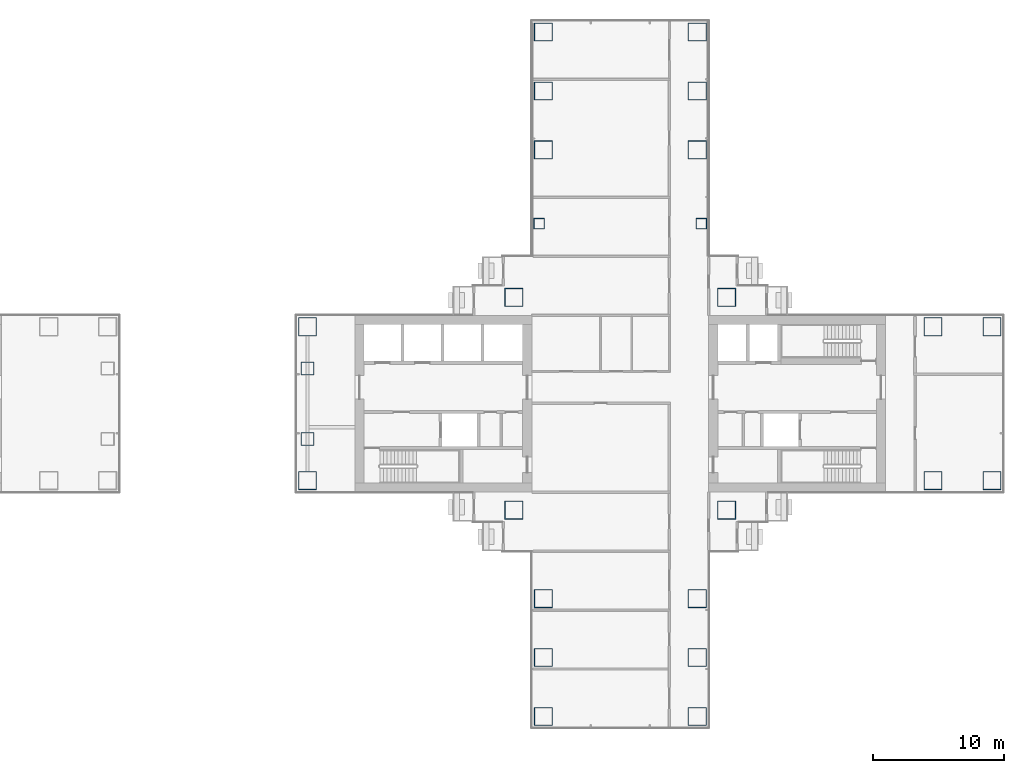
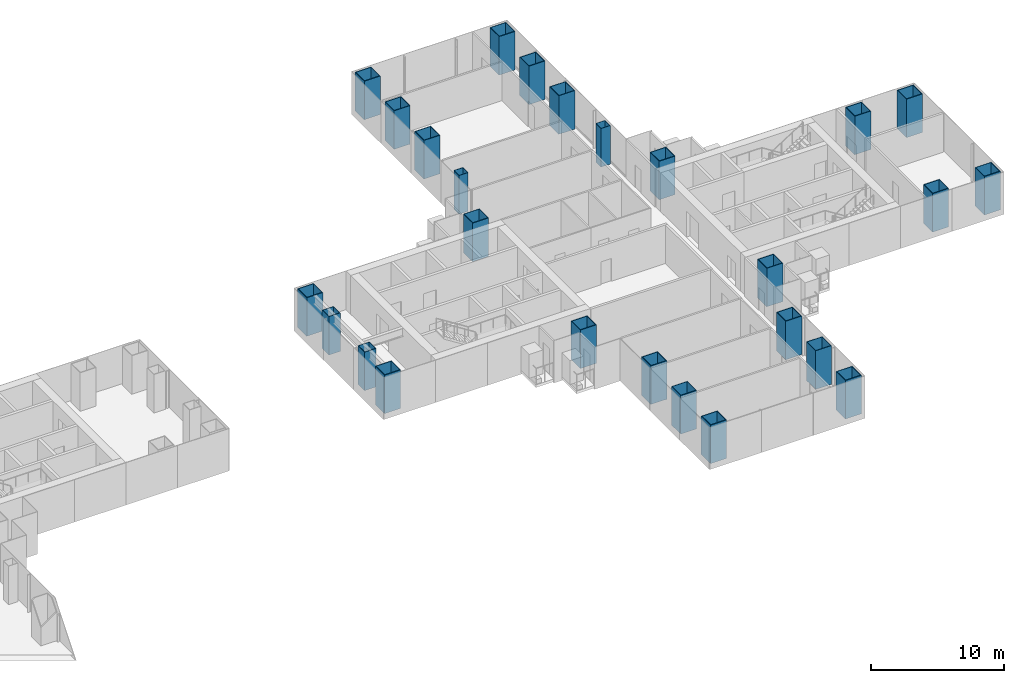
# One storey, part 2 of 21: 26 columns.
"""IFC4 building model written with IfcOpenShell, lengths in metres."""

from ifc_helpers import new_model, si_unit, direction, frame, origin, origin_2d, place, context, subcontext, project, spatial, hollow_rectangle, extrude, material, material_profile, profile_set, type_object, element, save


model = new_model("IFC4")

# Units and contexts
model_context = context("Model", 3, precision=1e-05, world=origin(), true_north=direction((0.0, 1.0)))
body_context = subcontext(model_context, "Body", "Model", "MODEL_VIEW")
ifc_project = project(units=[si_unit("LENGTHUNIT", "METRE"), si_unit("AREAUNIT", "SQUARE_METRE"), si_unit("VOLUMEUNIT", "CUBIC_METRE"), si_unit("PLANEANGLEUNIT", "RADIAN"), si_unit("MASSUNIT", "GRAM", prefix="KILO")], contexts=[model_context])

# Site, building, storey
site_placement = place(None, origin())
site = spatial("IfcSite", under=ifc_project, at=site_placement, CompositionType="ELEMENT")
building_placement = place(site_placement, origin())
building = spatial("IfcBuilding", under=site, at=building_placement, Name="Shamsa Quay Exchange Towers", CompositionType="ELEMENT")
storey_placement = place(building_placement, frame((0.0, 0.0, 53.699951171875)))
storey = spatial("IfcBuildingStorey", under=building, at=storey_placement, Name="L11", CompositionType="ELEMENT", Elevation=53.699951171875)

# Columns
ifc_material_1 = material(Name="Concrete-filled steel tube S355 / C80/95", Category="concrete")
ifc_material_profile_1 = material_profile(ifc_material_1, hollow_rectangle(XDim=1.39990234375, YDim=1.39990234375, WallThickness=0.050048828125, at=origin_2d()), Name="CFT 1400x1400x50")
ifc_profile_set_1 = profile_set([ifc_material_profile_1], Name="Concrete-filled steel tube S355 / C80/95")
column_type_1 = type_object("IfcColumnType", Name="Column CFT 1400x1400x50", PredefinedType="COLUMN", material=ifc_profile_set_1)
for number, where, name in (
    (1, (25.625, 8.125, 0.0), "Mega column T2-CM01"),
    (2, (41.875, 8.125, 0.0), "Mega column T2-CM02"),
    (3, (25.625, -8.125, 0.0), "Mega column T2-CM03"),
    (4, (41.875, -8.125, 0.0), "Mega column T2-CM04"),
    (5, (39.625, 19.375, 0.0), "Mega column T2-CM06"),
    (6, (39.625, 23.875, 0.0), "Mega column T2-CM07"),
    (7, (39.625, 28.375, 0.0), "Mega column T2-CM08"),
    (8, (27.875, 19.375, 0.0), "Mega column T2-CM10"),
    (9, (27.875, 23.875, 0.0), "Mega column T2-CM11"),
    (10, (27.875, 28.375, 0.0), "Mega column T2-CM12"),
    (11, (39.625, -14.875, 0.0), "Mega column T2-CM13"),
    (12, (39.625, -19.375, 0.0), "Mega column T2-CM14"),
    (13, (39.625, -23.875, 0.0), "Mega column T2-CM15"),
    (14, (27.875, -14.875, 0.0), "Mega column T2-CM16"),
    (15, (27.875, -19.375, 0.0), "Mega column T2-CM17"),
    (16, (27.875, -23.875, 0.0), "Mega column T2-CM18"),
    (17, (9.875, -5.875, 0.0), "Mega column T2-CM19"),
    (18, (9.875, 5.875, 0.0), "Mega column T2-CM20"),
    (19, (57.625, -5.875, 0.0), "Mega column T2-CM21"),
    (20, (62.125, -5.875, 0.0), "Mega column T2-CM22"),
    (21, (57.625, 5.875, 0.0), "Mega column T2-CM23"),
    (22, (62.125, 5.875, 0.0), "Mega column T2-CM24"),
):
    element("IfcColumn", number, at=place(storey_placement, frame(where)), inside=storey, type_object=column_type_1, Name=name, PredefinedType="COLUMN", context=body_context, shape_type="SweptSolid", body=[
        extrude(hollow_rectangle(XDim=1.39990234375, YDim=1.39990234375, WallThickness=0.050048828125, at=origin_2d()), origin(), (0.0, 0.0, 1.0), 3.550048828125),
    ])
ifc_material_2 = material(Name="Concrete-filled steel tube S355 / C60/75", Category="concrete")
ifc_material_profile_2 = material_profile(ifc_material_2, hollow_rectangle(XDim=0.800048828125, YDim=0.800048828125, WallThickness=0.02490234375, at=origin_2d()), Name="CFT 800x800x25")
ifc_profile_set_2 = profile_set([ifc_material_profile_2], Name="Concrete-filled steel tube S355 / C60/75")
column_type_2 = type_object("IfcColumnType", Name="Column CFT 800x800x25", PredefinedType="COLUMN", material=ifc_profile_set_2)
for number, where, name in (
    (23, (39.9375, 13.75, 0.0), "Perimeter column T2-CP05"),
    (24, (27.5625, 13.75, 0.0), "Perimeter column T2-CP09"),
):
    element("IfcColumn", number, at=place(storey_placement, frame(where)), inside=storey, type_object=column_type_2, Name=name, PredefinedType="COLUMN", context=body_context, shape_type="SweptSolid", body=[
        extrude(hollow_rectangle(XDim=0.800048828125, YDim=0.800048828125, WallThickness=0.02490234375, at=origin_2d()), origin(), (0.0, 0.0, 1.0), 3.550048828125),
    ])
ifc_material_3 = material(Name="Concrete-filled steel tube S355 / C70/85", Category="concrete")
ifc_material_profile_3 = material_profile(ifc_material_3, hollow_rectangle(XDim=1.0, YDim=1.0, WallThickness=0.0400390625, at=origin_2d()), Name="CFT 1000x1000x40")
ifc_profile_set_3 = profile_set([ifc_material_profile_3], Name="Concrete-filled steel tube S355 / C70/85")
column_type_3 = type_object("IfcColumnType", Name="Landing column CFT 1000x1000x40", PredefinedType="COLUMN", material=ifc_profile_set_3)
for number, where, name in (
    (25, (9.875, -2.699951171875, 0.0), "Landing column T2 S"),
    (26, (9.875, 2.699951171875, 0.0), "Landing column T2 N"),
):
    element("IfcColumn", number, at=place(storey_placement, frame(where)), inside=storey, type_object=column_type_3, Name=name, PredefinedType="COLUMN", context=body_context, shape_type="SweptSolid", body=[
        extrude(hollow_rectangle(XDim=1.0, YDim=1.0, WallThickness=0.0400390625, at=origin_2d()), origin(), (0.0, 0.0, 1.0), 3.550048828125),
    ])

save(model, "model.ifc")
